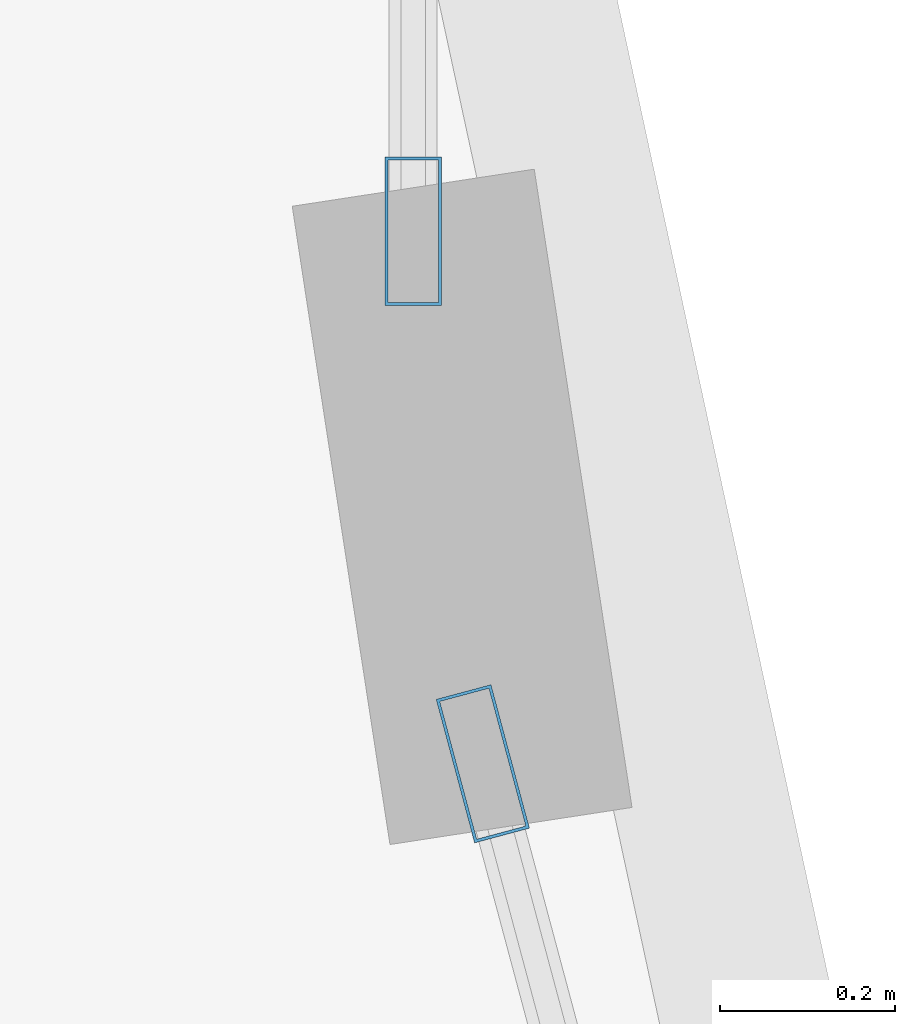
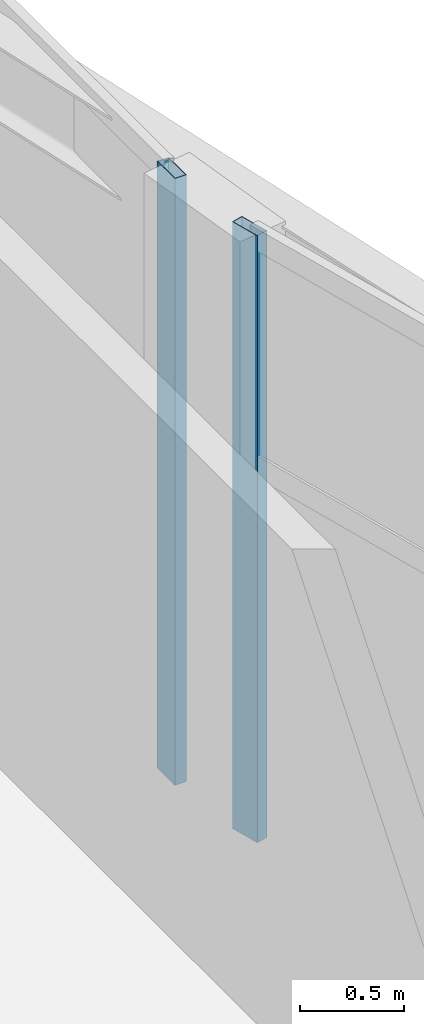
# One storey, part 19 of 29: 2 members, 2 elements without a shape of their own.
"""IFC4 building model written with IfcOpenShell, lengths in metres."""

from ifc_helpers import new_model, si_unit, direction, frame, origin, origin_2d, place, context, subcontext, project, spatial, hollow_rectangle, extrude, material, layer, layer_set, material_profile, profile_set, type_object, element, aggregate, save


model = new_model("IFC4")

# Units and contexts
model_context = context("Model", 3, precision=1e-05, world=origin(), true_north=direction((0.0, 1.0)))
body_context = subcontext(model_context, "Body", "Model", "MODEL_VIEW")
ifc_project = project(units=[si_unit("LENGTHUNIT", "METRE"), si_unit("AREAUNIT", "SQUARE_METRE"), si_unit("VOLUMEUNIT", "CUBIC_METRE"), si_unit("PLANEANGLEUNIT", "RADIAN"), si_unit("MASSUNIT", "GRAM", prefix="KILO")], contexts=[model_context])

# Site, building, storey
site_placement = place(None, origin())
site = spatial("IfcSite", under=ifc_project, at=site_placement, CompositionType="ELEMENT")
building_placement = place(site_placement, origin())
building = spatial("IfcBuilding", under=site, at=building_placement, Name="Calvorn Quay Hotel", CompositionType="ELEMENT")
storey_placement = place(building_placement, frame((0.0, 0.0, 247.60009765625)))
storey = spatial("IfcBuildingStorey", under=building, at=storey_placement, Name="L61", CompositionType="ELEMENT", Elevation=247.60009765625)

# Curtain wall, member
ifc_material_1 = material(Name="Champagne Bronze Anodised Aluminium and Low-E Glass", Category="aluminium")
ifc_layer = layer(ifc_material_1, 0.219970703125)
ifc_layer_set = layer_set([ifc_layer], Name="CW-SYS-Z4")
curtain_wall_type = type_object("IfcCurtainWallType", Name="CW-SYS-Z4", PredefinedType="NOTDEFINED", material=ifc_layer_set)
curtain_wall_1_placement = place(storey_placement, origin())
curtain_wall_1 = element("IfcCurtainWall", 1, at=curtain_wall_1_placement, inside=storey, type_object=curtain_wall_type, Name="Inner Court Curtain Wall L61-IC1", PredefinedType="NOTDEFINED")
ifc_material_2 = material(Name="Champagne Bronze Anodised Aluminium 6063-T6", Category="aluminium")
ifc_material_profile = material_profile(ifc_material_2, hollow_rectangle(XDim=0.06494140625, YDim=0.169921875, WallThickness=0.00341796875, at=origin_2d()), Name="ALU-M170x65x3.5")
ifc_profile_set = profile_set([ifc_material_profile], Name="Champagne Bronze Anodised Aluminium 6063-T6")
member_type = type_object("IfcMemberType", Name="CW-SYS-Z4-MUL", PredefinedType="MULLION", material=ifc_profile_set)
member_1_placement = place(storey_placement, frame((17.9296875, 38.10107421875, 0.0), z_axis=(0.0, 0.0, 1.0), x_axis=(-0.96593652056, -0.25877913024, 0.0)))
member_1 = element("IfcMember", 2, at=member_1_placement, type_object=member_type, Name="CW-L61-IC1 mullion 2", PredefinedType="MULLION", context=body_context, shape_type="SweptSolid", body=[
    extrude(hollow_rectangle(XDim=0.06494140625, YDim=0.169921875, WallThickness=0.00341796875, at=origin_2d()), origin(), (0.0, 0.0, 1.0), 3.559814453125),
])
aggregate(curtain_wall_1, [member_1])

curtain_wall_2_placement = place(storey_placement, origin())
curtain_wall_2 = element("IfcCurtainWall", 3, at=curtain_wall_2_placement, inside=storey, type_object=curtain_wall_type, Name="Inner Court Curtain Wall L61-IC2", PredefinedType="NOTDEFINED")
member_2_placement = place(storey_placement, frame((17.85009765625, 38.7099609375, 0.0), z_axis=(0.0, 0.0, 1.0), x_axis=(-1.0, 0.0, 0.0)))
member_2 = element("IfcMember", 4, at=member_2_placement, type_object=member_type, Name="CW-L61-IC2 mullion 1", PredefinedType="MULLION", context=body_context, shape_type="SweptSolid", body=[
    extrude(hollow_rectangle(XDim=0.06494140625, YDim=0.169921875, WallThickness=0.00341796875, at=origin_2d()), origin(), (0.0, 0.0, 1.0), 3.559814453125),
])
aggregate(curtain_wall_2, [member_2])

save(model, "model.ifc")
